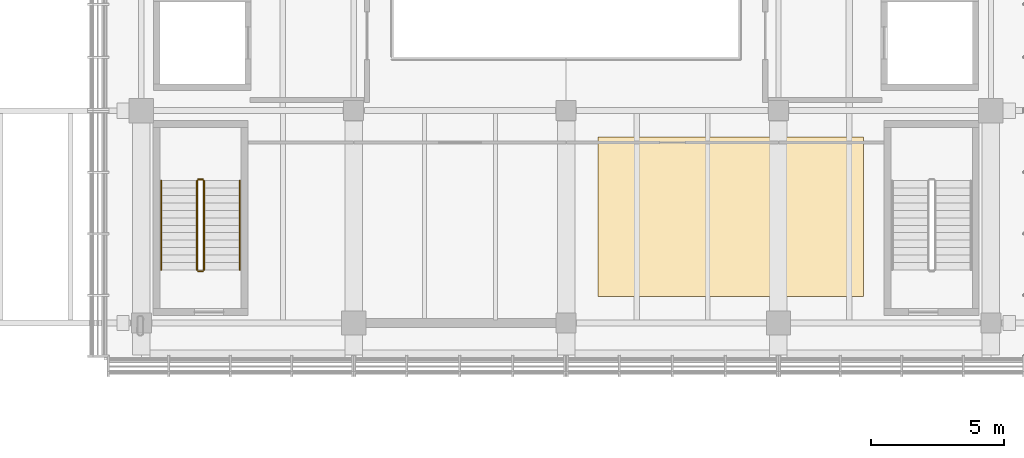
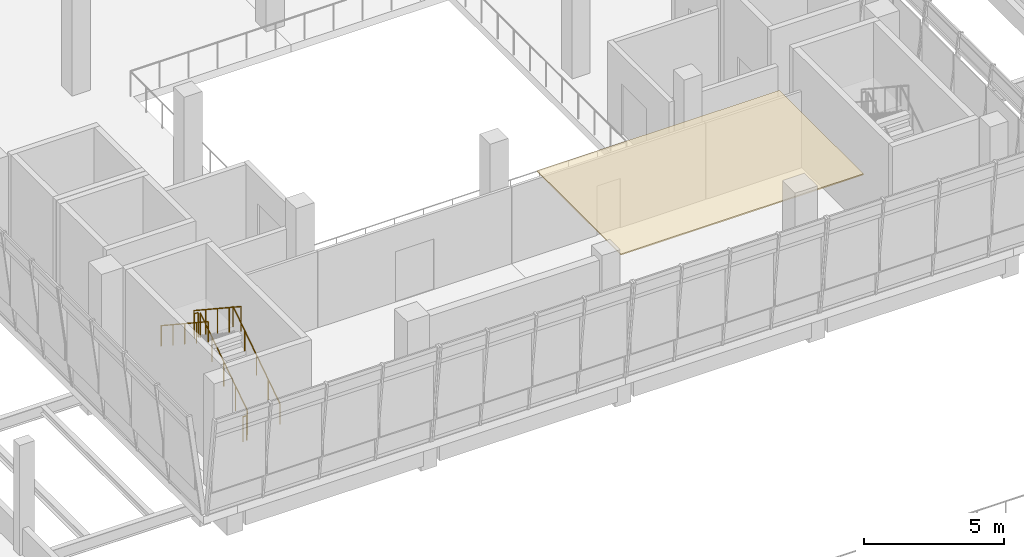
# One storey, part 45 of 52: 6 railings, 1 covering.
"""IFC4 building model written with IfcOpenShell, lengths in metres."""

from ifc_helpers import new_model, si_unit, direction, frame, origin, origin_2d, place, context, subcontext, project, spatial, polyline, circle, outline, extrude, material, layer, layer_set, type_object, element, save


model = new_model("IFC4")

# Units and contexts
model_context = context("Model", 3, precision=1e-05, world=origin(), true_north=direction((0.0, 1.0)))
body_context = subcontext(model_context, "Body", "Model", "MODEL_VIEW")
ifc_project = project(units=[si_unit("LENGTHUNIT", "METRE"), si_unit("AREAUNIT", "SQUARE_METRE"), si_unit("VOLUMEUNIT", "CUBIC_METRE"), si_unit("PLANEANGLEUNIT", "RADIAN"), si_unit("MASSUNIT", "GRAM", prefix="KILO")], contexts=[model_context])

# Site, building, storey
site_placement = place(None, origin())
site = spatial("IfcSite", under=ifc_project, at=site_placement, CompositionType="ELEMENT")
building_placement = place(site_placement, origin())
building = spatial("IfcBuilding", under=site, at=building_placement, Name="Pecanmere Concourse Central Library", CompositionType="ELEMENT")
storey_placement = place(building_placement, frame((0.0, 0.0, 10.5)))
storey = spatial("IfcBuildingStorey", under=building, at=storey_placement, Name="L03", CompositionType="ELEMENT", Elevation=10.5)

# Covering
ifc_material_1 = material(Name="Solid white oak architectural joinery")
ifc_layer = layer(ifc_material_1, 0.054931640625, Name="COV_CEIL_OAK_COFF")
ifc_layer_set = layer_set([ifc_layer], Name="Solid white oak architectural joinery")
covering_type = type_object("IfcCoveringType", Name="COV_CEIL_OAK_COFF", PredefinedType="CEILING", material=ifc_layer_set)
covering_placement = place(storey_placement, frame((0.0, 0.0, 3.429931640625)))
element("IfcCovering", 1, at=covering_placement, inside=storey, type_object=covering_type, Name="Acoustic Coffered Ceiling L03-015", PredefinedType="CEILING", context=body_context, shape_type="SweptSolid", body=[
    extrude(outline(polyline([(89.199951171875, 91.0), (99.199951171875, 91.0), (99.199951171875, 97.0), (89.199951171875, 97.0), (89.199951171875, 91.0)])), origin(), (0.0, 0.0, 1.0), 0.05517578125),
])

# Railings
ifc_material_2 = material(Name="Painted architectural steel ASTM A36", Category="steel")
railing_type_1 = type_object("IfcRailingType", Name="RAIL_STAIR_GUARD", PredefinedType="GUARDRAIL", material=ifc_material_2)
railing_1_placement = place(storey_placement, frame((74.360107421875, 92.0, 0.1845703125)))
element("IfcRailing", 2, at=railing_1_placement, inside=storey, type_object=railing_type_1, Name="L03 ST-01 Guard 1", PredefinedType="GUARDRAIL", context=body_context, shape_type="SweptSolid", body=[
    extrude(circle(Radius=0.02392578125, at=origin_2d()), frame((0.0, 0.0, 1.076171875), z_axis=(0.0, 0.834876476806, 0.550437342915), x_axis=(-1.0, 0.0, 0.0)), (0.0, 0.0, 1.0), 4.024658203125),
    extrude(circle(Radius=0.02099609375, at=origin_2d()), origin(), (0.0, 0.0, 1.0), 1.052001953125),
    extrude(circle(Radius=0.02099609375, at=origin_2d()), frame((0.0, 0.840087890625, 0.5537109375)), (0.0, 0.0, 1.0), 1.052001953125),
    extrude(circle(Radius=0.02099609375, at=origin_2d()), frame((0.0, 1.68017578125, 1.107666015625)), (0.0, 0.0, 1.0), 1.052001953125),
    extrude(circle(Radius=0.02099609375, at=origin_2d()), frame((0.0, 2.52001953125, 1.66162109375)), (0.0, 0.0, 1.0), 1.052001953125),
    extrude(circle(Radius=0.02099609375, at=origin_2d()), frame((0.0, 3.360107421875, 2.21533203125)), (0.0, 0.0, 1.0), 1.052001953125),
])
railing_2_placement = place(storey_placement, frame((74.31005859375, 95.409912109375, 2.39990234375)))
element("IfcRailing", 3, at=railing_2_placement, inside=storey, type_object=railing_type_1, Name="L03 ST-01 Guard 2", PredefinedType="GUARDRAIL", context=body_context, shape_type="SweptSolid", body=[
    extrude(circle(Radius=0.02392578125, at=origin_2d()), frame((0.0, 0.0, 1.076171875), z_axis=(-1.0, 0.0, 0.0), x_axis=(0.0, -1.0, 0.0)), (0.0, 0.0, 1.0), 0.16015625),
    extrude(circle(Radius=0.02099609375, at=origin_2d()), origin(), (0.0, 0.0, 1.0), 1.052001953125),
    extrude(circle(Radius=0.02099609375, at=origin_2d()), frame((-0.16015625, 0.0, 0.0)), (0.0, 0.0, 1.0), 1.052001953125),
])
railing_3_placement = place(storey_placement, frame((74.10009765625, 95.360107421875, 2.584716796875)))
element("IfcRailing", 4, at=railing_3_placement, inside=storey, type_object=railing_type_1, Name="L03 ST-01 Guard 3", PredefinedType="GUARDRAIL", context=body_context, shape_type="SweptSolid", body=[
    extrude(circle(Radius=0.02392578125, at=origin_2d()), frame((0.0, 0.0, 1.076171875), z_axis=(0.0, -0.834876476806, 0.550437342915), x_axis=(1.0, 0.0, 0.0)), (0.0, 0.0, 1.0), 4.024658203125),
    extrude(circle(Radius=0.02099609375, at=origin_2d()), origin(), (0.0, 0.0, 1.0), 1.052001953125),
    extrude(circle(Radius=0.02099609375, at=origin_2d()), frame((0.0, -0.840087890625, 0.5537109375)), (0.0, 0.0, 1.0), 1.052001953125),
    extrude(circle(Radius=0.02099609375, at=origin_2d()), frame((0.0, -1.68017578125, 1.107666015625)), (0.0, 0.0, 1.0), 1.052001953125),
    extrude(circle(Radius=0.02099609375, at=origin_2d()), frame((0.0, -2.52001953125, 1.66162109375)), (0.0, 0.0, 1.0), 1.052001953125),
    extrude(circle(Radius=0.02099609375, at=origin_2d()), frame((0.0, -3.360107421875, 2.21533203125)), (0.0, 0.0, 1.0), 1.052001953125),
])
railing_4_placement = place(storey_placement, frame((74.31005859375, 91.949951171875, 0.0)))
element("IfcRailing", 5, at=railing_4_placement, inside=storey, type_object=railing_type_1, Name="L03 ST-01 Guard 4", PredefinedType="GUARDRAIL", context=body_context, shape_type="SweptSolid", body=[
    extrude(circle(Radius=0.02392578125, at=origin_2d()), frame((0.0, 0.0, 1.076171875), z_axis=(-1.0, 0.0, 0.0), x_axis=(0.0, -1.0, 0.0)), (0.0, 0.0, 1.0), 0.16015625),
    extrude(circle(Radius=0.02099609375, at=origin_2d()), origin(), (0.0, 0.0, 1.0), 1.052001953125),
    extrude(circle(Radius=0.02099609375, at=origin_2d()), frame((-0.16015625, 0.0, 0.0)), (0.0, 0.0, 1.0), 1.052001953125),
])
ifc_material_3 = material(Name="Brushed stainless steel Grade 316", Category="steel")
railing_type_2 = type_object("IfcRailingType", Name="RAIL_STAIR_HR", PredefinedType="HANDRAIL", material=ifc_material_3)
railing_5_placement = place(storey_placement, frame((75.7099609375, 92.0, 0.1845703125)))
element("IfcRailing", 6, at=railing_5_placement, inside=storey, type_object=railing_type_2, Name="L03 ST-01 Handrail 1", PredefinedType="HANDRAIL", context=body_context, shape_type="SweptSolid", body=[
    extrude(circle(Radius=0.02392578125, at=origin_2d()), frame((0.0, 0.0, 0.89111328125), z_axis=(0.0, 0.834876476806, 0.550437342915), x_axis=(-1.0, 0.0, 0.0)), (0.0, 0.0, 1.0), 4.024658203125),
    extrude(circle(Radius=0.02099609375, at=origin_2d()), origin(), (0.0, 0.0, 1.0), 0.866943359375),
    extrude(circle(Radius=0.02099609375, at=origin_2d()), frame((0.0, 0.840087890625, 0.5537109375)), (0.0, 0.0, 1.0), 0.866943359375),
    extrude(circle(Radius=0.02099609375, at=origin_2d()), frame((0.0, 1.68017578125, 1.107666015625)), (0.0, 0.0, 1.0), 0.866943359375),
    extrude(circle(Radius=0.02099609375, at=origin_2d()), frame((0.0, 2.52001953125, 1.66162109375)), (0.0, 0.0, 1.0), 0.866943359375),
    extrude(circle(Radius=0.02099609375, at=origin_2d()), frame((0.0, 3.360107421875, 2.21533203125)), (0.0, 0.0, 1.0), 0.866943359375),
])
railing_6_placement = place(storey_placement, frame((72.75, 95.360107421875, 2.584716796875)))
element("IfcRailing", 7, at=railing_6_placement, inside=storey, type_object=railing_type_2, Name="L03 ST-01 Handrail 2", PredefinedType="HANDRAIL", context=body_context, shape_type="SweptSolid", body=[
    extrude(circle(Radius=0.02392578125, at=origin_2d()), frame((0.0, 0.0, 0.89111328125), z_axis=(0.0, -0.834876476806, 0.550437342915), x_axis=(1.0, 0.0, 0.0)), (0.0, 0.0, 1.0), 4.024658203125),
    extrude(circle(Radius=0.02099609375, at=origin_2d()), origin(), (0.0, 0.0, 1.0), 0.866943359375),
    extrude(circle(Radius=0.02099609375, at=origin_2d()), frame((0.0, -0.840087890625, 0.5537109375)), (0.0, 0.0, 1.0), 0.866943359375),
    extrude(circle(Radius=0.02099609375, at=origin_2d()), frame((0.0, -1.68017578125, 1.107666015625)), (0.0, 0.0, 1.0), 0.866943359375),
    extrude(circle(Radius=0.02099609375, at=origin_2d()), frame((0.0, -2.52001953125, 1.66162109375)), (0.0, 0.0, 1.0), 0.866943359375),
    extrude(circle(Radius=0.02099609375, at=origin_2d()), frame((0.0, -3.360107421875, 2.21533203125)), (0.0, 0.0, 1.0), 0.866943359375),
])

save(model, "model.ifc")
